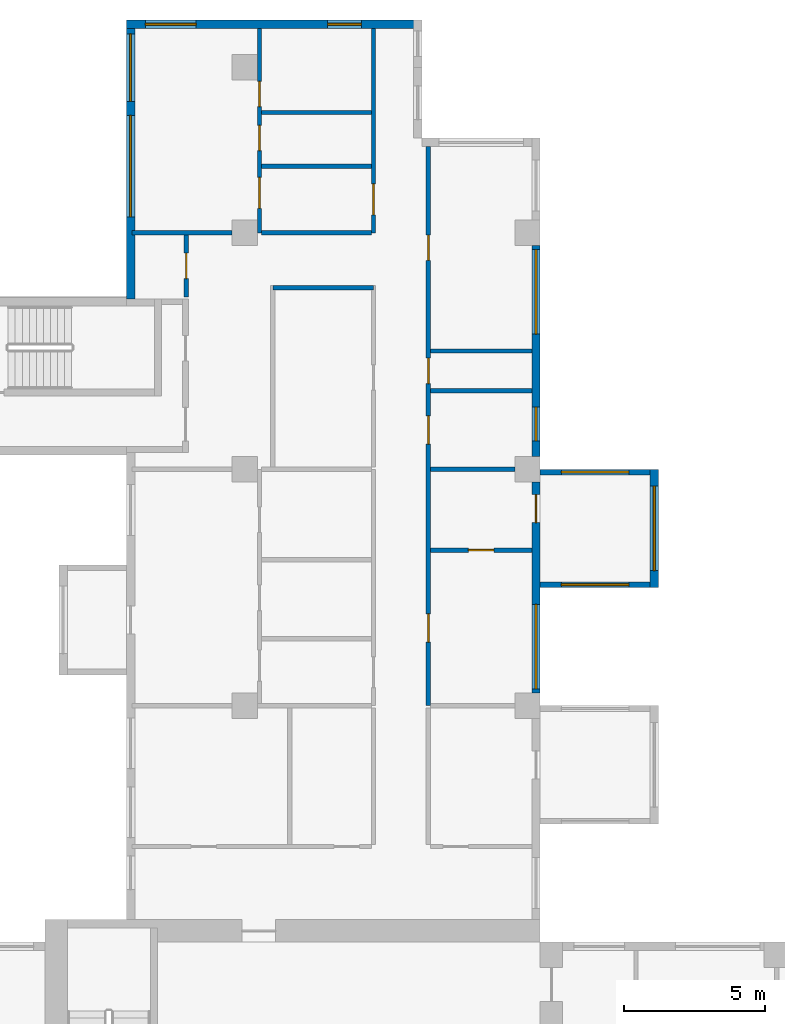
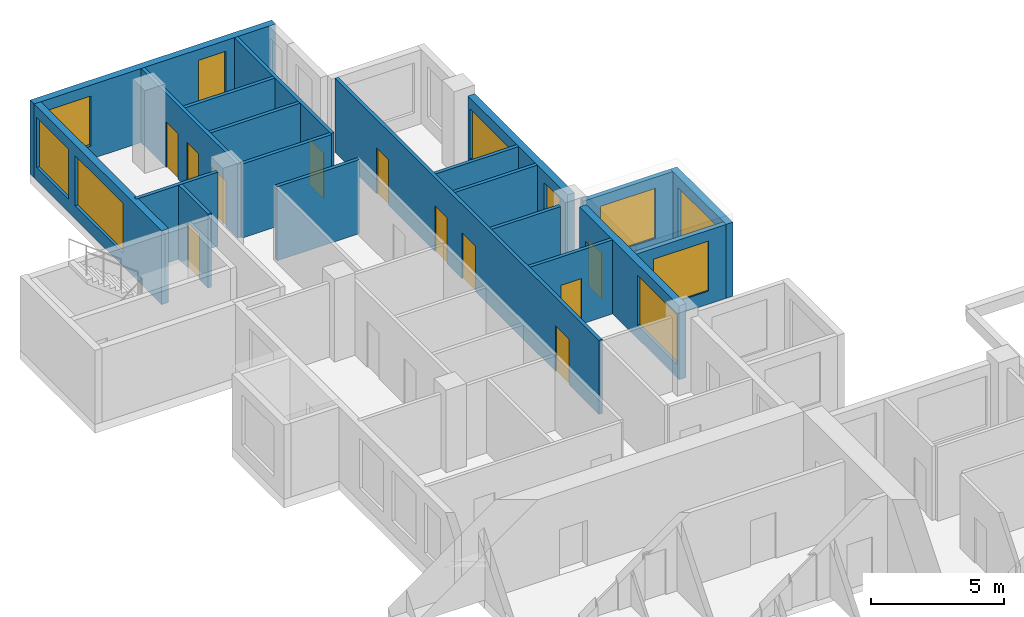
# One storey, part 7 of 11: 20 walls, 11 doors, 10 windows, 21 openings.
"""IFC4 building model written with IfcOpenShell, lengths in metres."""

from ifc_helpers import new_model, si_unit, direction, frame, frame_2d, origin, place, context, subcontext, project, spatial, rectangle, extrude, source, transform, mapped, material, layer, layer_set, type_object, element, fill, save


model = new_model("IFC4")

# Units and contexts
model_context = context("Model", 3, precision=1e-05, world=origin(), true_north=direction((0.0, 1.0)))
body_context = subcontext(model_context, "Body", "Model", "MODEL_VIEW")
ifc_project = project(units=[si_unit("LENGTHUNIT", "METRE"), si_unit("AREAUNIT", "SQUARE_METRE"), si_unit("VOLUMEUNIT", "CUBIC_METRE"), si_unit("PLANEANGLEUNIT", "RADIAN"), si_unit("MASSUNIT", "GRAM", prefix="KILO")], contexts=[model_context])

# Site, building, storey
site_placement = place(None, origin())
site = spatial("IfcSite", under=ifc_project, at=site_placement, CompositionType="ELEMENT")
building_placement = place(site_placement, origin())
building = spatial("IfcBuilding", under=site, at=building_placement, Name="Aurelian Terraces", CompositionType="ELEMENT")
storey_placement = place(building_placement, frame((0.0, 0.0, 212.0)))
storey = spatial("IfcBuildingStorey", under=building, at=storey_placement, Name="L47", CompositionType="ELEMENT", Elevation=212.0)

# Wall, openings, window, door
ifc_material_1 = material(Name="Terracotta rainscreen cladding", Category="masonry")
ifc_layer_1 = layer(ifc_material_1, 0.3)
ifc_layer_set_1 = layer_set([ifc_layer_1], Name="EW-300")
wall_type_1 = type_object("IfcWallType", Name="EW-300", PredefinedType="STANDARD", material=ifc_layer_set_1)
shared_shape_1 = source(origin(), body_context, "Body", "SweptSolid", [
    extrude(rectangle(XDim=7.5, YDim=0.3, at=frame_2d((3.75, 0.0))), origin(), (0.0, 0.0, 1.0), 3.4),
])
wall_1_placement = place(storey_placement, frame((20.85, 29.85, 0.0), z_axis=(0.0, 0.0, 1.0), x_axis=(0.0, 1.0, 0.0)))
wall_1 = element("IfcWall", 1, at=wall_1_placement, inside=storey, type_object=wall_type_1, Name="External wall L47 F12.22", PredefinedType="STANDARD", context=body_context, shape_type="MappedRepresentation", body=[
    mapped(shared_shape_1, transform((0.0, 0.0, 0.0), scale=1.0)),
])
shared_shape_2 = source(origin(), body_context, "Body", "SweptSolid", [
    extrude(rectangle(XDim=3.0, YDim=2.3, at=frame_2d((1.5, 1.15))), frame((0.0, 0.16, 0.0), z_axis=(0.0, -1.0, 0.0), x_axis=(1.0, 0.0, 0.0)), (0.0, 0.0, 1.0), 0.32),
])
opening_1_placement = place(wall_1_placement, frame((0.15, 0.0, 0.6)))
opening_1 = element("IfcOpeningElement", 2, at=opening_1_placement, cuts=wall_1, Name="Opening W3023", PredefinedType="OPENING", context=body_context, shape_type="MappedRepresentation", body=[
    mapped(shared_shape_2, transform((0.0, 0.0, 0.0), scale=1.0)),
])
shared_shape_3 = source(origin(), body_context, "Body", "SweptSolid", [
    extrude(rectangle(XDim=1.0, YDim=2.1, at=frame_2d((0.5, 1.05))), frame((0.0, 0.16, 0.0), z_axis=(0.0, -1.0, 0.0), x_axis=(1.0, 0.0, 0.0)), (0.0, 0.0, 1.0), 0.32),
])
opening_2_placement = place(wall_1_placement, frame((6.05, 0.0, 0.0)))
opening_2 = element("IfcOpeningElement", 3, at=opening_2_placement, cuts=wall_1, Name="Opening 847002", PredefinedType="OPENING", context=body_context, shape_type="MappedRepresentation", body=[
    mapped(shared_shape_3, transform((0.0, 0.0, 0.0), scale=1.0)),
])
ifc_material_2 = material(Name="Clear glazing", Category="glass")
window_type_1 = type_object("IfcWindowType", Name="W-3000x2300", PartitioningType="SINGLE_PANEL", PredefinedType="WINDOW", material=ifc_material_2)
shared_shape_4 = source(origin(), body_context, "Body", "SweptSolid", [
    extrude(rectangle(XDim=3.0, YDim=2.3, at=frame_2d((1.5, 1.15))), frame((0.0, 0.03, 0.0), z_axis=(0.0, -1.0, 0.0), x_axis=(1.0, 0.0, 0.0)), (0.0, 0.0, 1.0), 0.06),
])
window_1_placement = place(opening_1_placement, origin())
window_1 = element("IfcWindow", 4, at=window_1_placement, inside=storey, type_object=window_type_1, Name="Window L47 L47-F12-22-0", OverallHeight=2.3, OverallWidth=3.0, PartitioningType="SINGLE_PANEL", PredefinedType="WINDOW", context=body_context, shape_type="MappedRepresentation", body=[
    mapped(shared_shape_4, transform((0.0, 0.0, 0.0), scale=1.0)),
])
fill(opening_1, window_1)
ifc_material_3 = material(Name="Timber door leaf", Category="wood")
door_type_1 = type_object("IfcDoorType", Name="Room door 1000x2100 left", OperationType="SINGLE_SWING_LEFT", PredefinedType="DOOR", material=ifc_material_3)
shared_shape_5 = source(origin(), body_context, "Body", "SweptSolid", [
    extrude(rectangle(XDim=1.0, YDim=2.1, at=frame_2d((0.5, 1.05))), frame((0.0, 0.025, 0.0), z_axis=(0.0, -1.0, 0.0), x_axis=(1.0, 0.0, 0.0)), (0.0, 0.0, 1.0), 0.05),
])
door_1_placement = place(opening_2_placement, origin())
door_1 = element("IfcDoor", 5, at=door_1_placement, inside=storey, type_object=door_type_1, Name="Door 847002", OperationType="SINGLE_SWING_LEFT", OverallHeight=2.1, OverallWidth=1.0, PredefinedType="DOOR", context=body_context, shape_type="MappedRepresentation", body=[
    mapped(shared_shape_5, transform((0.0, 0.0, 0.0), scale=1.0)),
])
fill(opening_2, door_1)

# Wall, openings, windows
wall_2_placement = place(storey_placement, frame((20.85, 38.25, 0.0), z_axis=(0.0, 0.0, 1.0), x_axis=(0.0, 1.0, 0.0)))
wall_2 = element("IfcWall", 6, at=wall_2_placement, inside=storey, type_object=wall_type_1, Name="External wall L47 F12.23", PredefinedType="STANDARD", context=body_context, shape_type="MappedRepresentation", body=[
    mapped(shared_shape_1, transform((0.0, 0.0, 0.0), scale=1.0)),
])
shared_shape_6 = source(origin(), body_context, "Body", "SweptSolid", [
    extrude(rectangle(XDim=1.2, YDim=2.3, at=frame_2d((0.6, 1.15))), frame((0.0, 0.16, 0.0), z_axis=(0.0, -1.0, 0.0), x_axis=(1.0, 0.0, 0.0)), (0.0, 0.0, 1.0), 0.32),
])
opening_3_placement = place(wall_2_placement, frame((0.557, 0.0, 0.6)))
opening_3 = element("IfcOpeningElement", 7, at=opening_3_placement, cuts=wall_2, Name="Opening W1223", PredefinedType="OPENING", context=body_context, shape_type="MappedRepresentation", body=[
    mapped(shared_shape_6, transform((0.0, 0.0, 0.0), scale=1.0)),
])
opening_4_placement = place(wall_2_placement, frame((4.35, 0.0, 0.6)))
opening_4 = element("IfcOpeningElement", 8, at=opening_4_placement, cuts=wall_2, Name="Opening W3023", PredefinedType="OPENING", context=body_context, shape_type="MappedRepresentation", body=[
    mapped(shared_shape_2, transform((0.0, 0.0, 0.0), scale=1.0)),
])
window_2_placement = place(opening_4_placement, origin())
window_2 = element("IfcWindow", 9, at=window_2_placement, inside=storey, type_object=window_type_1, Name="Window L47 L47-F12-23-1", OverallHeight=2.3, OverallWidth=3.0, PartitioningType="SINGLE_PANEL", PredefinedType="WINDOW", context=body_context, shape_type="MappedRepresentation", body=[
    mapped(shared_shape_4, transform((0.0, 0.0, 0.0), scale=1.0)),
])
fill(opening_4, window_2)
window_type_2 = type_object("IfcWindowType", Name="W-1200x2300", PartitioningType="SINGLE_PANEL", PredefinedType="WINDOW", material=ifc_material_2)
shared_shape_7 = source(origin(), body_context, "Body", "SweptSolid", [
    extrude(rectangle(XDim=1.2, YDim=2.3, at=frame_2d((0.6, 1.15))), frame((0.0, 0.03, 0.0), z_axis=(0.0, -1.0, 0.0), x_axis=(1.0, 0.0, 0.0)), (0.0, 0.0, 1.0), 0.06),
])
window_3_placement = place(opening_3_placement, origin())
window_3 = element("IfcWindow", 10, at=window_3_placement, inside=storey, type_object=window_type_2, Name="Window L47 L47-F12-23-0", OverallHeight=2.3, OverallWidth=1.2, PartitioningType="SINGLE_PANEL", PredefinedType="WINDOW", context=body_context, shape_type="MappedRepresentation", body=[
    mapped(shared_shape_7, transform((0.0, 0.0, 0.0), scale=1.0)),
])
fill(opening_3, window_3)

# Wall, opening, window
ifc_material_4 = material(Name="Concrete fc' 40 MPa", Category="concrete")
ifc_layer_2 = layer(ifc_material_4, 0.2)
ifc_layer_set_2 = layer_set([ifc_layer_2], Name="BOX BEARING WALL 200")
wall_type_2 = type_object("IfcWallType", Name="BOX BEARING WALL 200", PredefinedType="SOLIDWALL", material=ifc_layer_set_2)
shared_shape_8 = source(origin(), body_context, "Body", "SweptSolid", [
    extrude(rectangle(XDim=3.9, YDim=0.2, at=frame_2d((1.95, 0.0))), origin(), (0.0, 0.0, 1.0), 3.4),
])
wall_3_placement = place(storey_placement, frame((21.0, 33.7, 0.0), z_axis=(0.0, 0.0, 1.0), x_axis=(1.0, 0.0, 0.0)))
wall_3 = element("IfcWall", 11, at=wall_3_placement, inside=storey, type_object=wall_type_2, Name="Box return L47 J65.1", PredefinedType="SOLIDWALL", context=body_context, shape_type="MappedRepresentation", body=[
    mapped(shared_shape_8, transform((0.0, 0.0, 0.0), scale=1.0)),
])
shared_shape_9 = source(origin(), body_context, "Body", "SweptSolid", [
    extrude(rectangle(XDim=2.4, YDim=2.3, at=frame_2d((1.2, 1.15))), frame((0.0, 0.11, 0.0), z_axis=(0.0, -1.0, 0.0), x_axis=(1.0, 0.0, 0.0)), (0.0, 0.0, 1.0), 0.22),
])
opening_5_placement = place(wall_3_placement, frame((0.75, 0.0, 0.6)))
opening_5 = element("IfcOpeningElement", 12, at=opening_5_placement, cuts=wall_3, Name="Opening W2423", PredefinedType="OPENING", context=body_context, shape_type="MappedRepresentation", body=[
    mapped(shared_shape_9, transform((0.0, 0.0, 0.0), scale=1.0)),
])
window_type_3 = type_object("IfcWindowType", Name="W-2400x2300", PartitioningType="SINGLE_PANEL", PredefinedType="WINDOW", material=ifc_material_2)
shared_shape_10 = source(origin(), body_context, "Body", "SweptSolid", [
    extrude(rectangle(XDim=2.4, YDim=2.3, at=frame_2d((1.2, 1.15))), frame((0.0, 0.03, 0.0), z_axis=(0.0, -1.0, 0.0), x_axis=(1.0, 0.0, 0.0)), (0.0, 0.0, 1.0), 0.06),
])
window_4_placement = place(opening_5_placement, origin())
window_4 = element("IfcWindow", 13, at=window_4_placement, inside=storey, type_object=window_type_3, Name="Window L47 J65-S1", OverallHeight=2.3, OverallWidth=2.4, PartitioningType="SINGLE_PANEL", PredefinedType="WINDOW", context=body_context, shape_type="MappedRepresentation", body=[
    mapped(shared_shape_10, transform((0.0, 0.0, 0.0), scale=1.0)),
])
fill(opening_5, window_4)

wall_4_placement = place(storey_placement, frame((21.0, 37.7, 0.0), z_axis=(0.0, 0.0, 1.0), x_axis=(1.0, 0.0, 0.0)))
wall_4 = element("IfcWall", 14, at=wall_4_placement, inside=storey, type_object=wall_type_2, Name="Box return L47 J65.2", PredefinedType="SOLIDWALL", context=body_context, shape_type="MappedRepresentation", body=[
    mapped(shared_shape_8, transform((0.0, 0.0, 0.0), scale=1.0)),
])
opening_6_placement = place(wall_4_placement, frame((0.75, 0.0, 0.6)))
opening_6 = element("IfcOpeningElement", 15, at=opening_6_placement, cuts=wall_4, Name="Opening W2423", PredefinedType="OPENING", context=body_context, shape_type="MappedRepresentation", body=[
    mapped(shared_shape_9, transform((0.0, 0.0, 0.0), scale=1.0)),
])
window_5_placement = place(opening_6_placement, origin())
window_5 = element("IfcWindow", 16, at=window_5_placement, inside=storey, type_object=window_type_3, Name="Window L47 J65-S2", OverallHeight=2.3, OverallWidth=2.4, PartitioningType="SINGLE_PANEL", PredefinedType="WINDOW", context=body_context, shape_type="MappedRepresentation", body=[
    mapped(shared_shape_10, transform((0.0, 0.0, 0.0), scale=1.0)),
])
fill(opening_6, window_5)

ifc_layer_3 = layer(ifc_material_4, 0.3)
ifc_layer_set_3 = layer_set([ifc_layer_3], Name="BOX BEARING WALL 300")
wall_type_3 = type_object("IfcWallType", Name="BOX BEARING WALL 300", PredefinedType="SOLIDWALL", material=ifc_layer_set_3)
shared_shape_11 = source(origin(), body_context, "Body", "SweptSolid", [
    extrude(rectangle(XDim=4.2, YDim=0.3, at=frame_2d((2.1, 0.0))), origin(), (0.0, 0.0, 1.0), 3.4),
])
wall_5_placement = place(storey_placement, frame((25.05, 33.6, 0.0), z_axis=(0.0, 0.0, 1.0), x_axis=(0.0, 1.0, 0.0)))
wall_5 = element("IfcWall", 17, at=wall_5_placement, inside=storey, type_object=wall_type_3, Name="Box wall L47 J65", PredefinedType="SOLIDWALL", context=body_context, shape_type="MappedRepresentation", body=[
    mapped(shared_shape_11, transform((0.0, 0.0, 0.0), scale=1.0)),
])
opening_7_placement = place(wall_5_placement, frame((0.6, 0.0, 0.6)))
opening_7 = element("IfcOpeningElement", 18, at=opening_7_placement, cuts=wall_5, Name="Opening W3023", PredefinedType="OPENING", context=body_context, shape_type="MappedRepresentation", body=[
    mapped(shared_shape_2, transform((0.0, 0.0, 0.0), scale=1.0)),
])
window_6_placement = place(opening_7_placement, origin())
window_6 = element("IfcWindow", 19, at=window_6_placement, inside=storey, type_object=window_type_1, Name="Window L47 J65-F1", OverallHeight=2.3, OverallWidth=3.0, PartitioningType="SINGLE_PANEL", PredefinedType="WINDOW", context=body_context, shape_type="MappedRepresentation", body=[
    mapped(shared_shape_4, transform((0.0, 0.0, 0.0), scale=1.0)),
])
fill(opening_7, window_6)

# Wall, openings, windows
shared_shape_12 = source(origin(), body_context, "Body", "SweptSolid", [
    extrude(rectangle(XDim=10.5, YDim=0.3, at=frame_2d((5.25, 0.0))), origin(), (0.0, 0.0, 1.0), 3.4),
])
wall_6_placement = place(storey_placement, frame((16.8, 53.61, 0.0), z_axis=(0.0, 0.0, 1.0), x_axis=(-1.0, 0.0, 0.0)))
wall_6 = element("IfcWall", 20, at=wall_6_placement, inside=storey, type_object=wall_type_1, Name="External wall L47 F15.28", PredefinedType="STANDARD", context=body_context, shape_type="MappedRepresentation", body=[
    mapped(shared_shape_12, transform((0.0, 0.0, 0.0), scale=1.0)),
])
opening_8_placement = place(wall_6_placement, frame((2.15, 0.0, 0.6)))
opening_8 = element("IfcOpeningElement", 21, at=opening_8_placement, cuts=wall_6, Name="Opening W1223", PredefinedType="OPENING", context=body_context, shape_type="MappedRepresentation", body=[
    mapped(shared_shape_6, transform((0.0, 0.0, 0.0), scale=1.0)),
])
shared_shape_13 = source(origin(), body_context, "Body", "SweptSolid", [
    extrude(rectangle(XDim=1.8, YDim=2.3, at=frame_2d((0.9, 1.15))), frame((0.0, 0.16, 0.0), z_axis=(0.0, -1.0, 0.0), x_axis=(1.0, 0.0, 0.0)), (0.0, 0.0, 1.0), 0.32),
])
opening_9_placement = place(wall_6_placement, frame((8.025, 0.0, 0.6)))
opening_9 = element("IfcOpeningElement", 22, at=opening_9_placement, cuts=wall_6, Name="Opening W1823", PredefinedType="OPENING", context=body_context, shape_type="MappedRepresentation", body=[
    mapped(shared_shape_13, transform((0.0, 0.0, 0.0), scale=1.0)),
])
window_7_placement = place(opening_8_placement, origin())
window_7 = element("IfcWindow", 23, at=window_7_placement, inside=storey, type_object=window_type_2, Name="Window L47 L47-F15-28-0", OverallHeight=2.3, OverallWidth=1.2, PartitioningType="SINGLE_PANEL", PredefinedType="WINDOW", context=body_context, shape_type="MappedRepresentation", body=[
    mapped(shared_shape_7, transform((0.0, 0.0, 0.0), scale=1.0)),
])
fill(opening_8, window_7)
window_type_4 = type_object("IfcWindowType", Name="W-1800x2300", PartitioningType="SINGLE_PANEL", PredefinedType="WINDOW", material=ifc_material_2)
shared_shape_14 = source(origin(), body_context, "Body", "SweptSolid", [
    extrude(rectangle(XDim=1.8, YDim=2.3, at=frame_2d((0.9, 1.15))), frame((0.0, 0.03, 0.0), z_axis=(0.0, -1.0, 0.0), x_axis=(1.0, 0.0, 0.0)), (0.0, 0.0, 1.0), 0.06),
])
window_8_placement = place(opening_9_placement, origin())
window_8 = element("IfcWindow", 24, at=window_8_placement, inside=storey, type_object=window_type_4, Name="Window L47 L47-F15-28-2", OverallHeight=2.3, OverallWidth=1.8, PartitioningType="SINGLE_PANEL", PredefinedType="WINDOW", context=body_context, shape_type="MappedRepresentation", body=[
    mapped(shared_shape_14, transform((0.0, 0.0, 0.0), scale=1.0)),
])
fill(opening_9, window_8)

shared_shape_15 = source(origin(), body_context, "Body", "SweptSolid", [
    extrude(rectangle(XDim=9.91, YDim=0.3, at=frame_2d((4.955, 0.0))), origin(), (0.0, 0.0, 1.0), 3.4),
])
wall_7_placement = place(storey_placement, frame((6.45, 53.76, 0.0), z_axis=(0.0, 0.0, 1.0), x_axis=(0.0, -1.0, 0.0)))
wall_7 = element("IfcWall", 25, at=wall_7_placement, inside=storey, type_object=wall_type_1, Name="External wall L47 F16.29", PredefinedType="STANDARD", context=body_context, shape_type="MappedRepresentation", body=[
    mapped(shared_shape_15, transform((0.0, 0.0, 0.0), scale=1.0)),
])
shared_shape_16 = source(origin(), body_context, "Body", "SweptSolid", [
    extrude(rectangle(XDim=3.6, YDim=2.3, at=frame_2d((1.8, 1.15))), frame((0.0, 0.16, 0.0), z_axis=(0.0, -1.0, 0.0), x_axis=(1.0, 0.0, 0.0)), (0.0, 0.0, 1.0), 0.32),
])
opening_10_placement = place(wall_7_placement, frame((3.39, 0.0, 0.6)))
opening_10 = element("IfcOpeningElement", 26, at=opening_10_placement, cuts=wall_7, Name="Opening W3623", PredefinedType="OPENING", context=body_context, shape_type="MappedRepresentation", body=[
    mapped(shared_shape_16, transform((0.0, 0.0, 0.0), scale=1.0)),
])
shared_shape_17 = source(origin(), body_context, "Body", "SweptSolid", [
    extrude(rectangle(XDim=2.4, YDim=2.3, at=frame_2d((1.2, 1.15))), frame((0.0, 0.16, 0.0), z_axis=(0.0, -1.0, 0.0), x_axis=(1.0, 0.0, 0.0)), (0.0, 0.0, 1.0), 0.32),
])
opening_11_placement = place(wall_7_placement, frame((0.495, 0.0, 0.6)))
opening_11 = element("IfcOpeningElement", 27, at=opening_11_placement, cuts=wall_7, Name="Opening W2423", PredefinedType="OPENING", context=body_context, shape_type="MappedRepresentation", body=[
    mapped(shared_shape_17, transform((0.0, 0.0, 0.0), scale=1.0)),
])
window_type_5 = type_object("IfcWindowType", Name="W-3600x2300", PartitioningType="SINGLE_PANEL", PredefinedType="WINDOW", material=ifc_material_2)
shared_shape_18 = source(origin(), body_context, "Body", "SweptSolid", [
    extrude(rectangle(XDim=3.6, YDim=2.3, at=frame_2d((1.8, 1.15))), frame((0.0, 0.03, 0.0), z_axis=(0.0, -1.0, 0.0), x_axis=(1.0, 0.0, 0.0)), (0.0, 0.0, 1.0), 0.06),
])
window_9_placement = place(opening_10_placement, origin())
window_9 = element("IfcWindow", 28, at=window_9_placement, inside=storey, type_object=window_type_5, Name="Window L47 L47-F16-29-1", OverallHeight=2.3, OverallWidth=3.6, PartitioningType="SINGLE_PANEL", PredefinedType="WINDOW", context=body_context, shape_type="MappedRepresentation", body=[
    mapped(shared_shape_18, transform((0.0, 0.0, 0.0), scale=1.0)),
])
fill(opening_10, window_9)
window_10_placement = place(opening_11_placement, origin())
window_10 = element("IfcWindow", 29, at=window_10_placement, inside=storey, type_object=window_type_3, Name="Window L47 L47-F16-29-G0-0", OverallHeight=2.3, OverallWidth=2.4, PartitioningType="SINGLE_PANEL", PredefinedType="WINDOW", context=body_context, shape_type="MappedRepresentation", body=[
    mapped(shared_shape_10, transform((0.0, 0.0, 0.0), scale=1.0)),
])
fill(opening_11, window_10)

# Walls
ifc_material_5 = material(Name="Gypsum board on steel studs", Category="steel")
ifc_layer_4 = layer(ifc_material_5, 0.15)
ifc_layer_set_4 = layer_set([ifc_layer_4], Name="Partition 150")
wall_type_4 = type_object("IfcWallType", Name="Partition 150", PredefinedType="PARTITIONING", material=ifc_layer_set_4)
shared_shape_19 = source(origin(), body_context, "Body", "SweptSolid", [
    extrude(rectangle(XDim=3.9, YDim=0.15, at=frame_2d((1.95, 0.0))), origin(), (0.0, 0.0, 1.0), 3.4),
])
for number, where, z_axis, x_axis, name in (
    (30, (15.0, 48.5681, 0.0), (0.0, 0.0, 1.0), (-1.0, 0.0, 0.0), "Partition"),
    (31, (15.0, 50.4718, 0.0), (0.0, 0.0, 1.0), (-1.0, 0.0, 0.0), "Partition"),
):
    element("IfcWall", number, at=place(storey_placement, frame(where, z_axis=z_axis, x_axis=x_axis)), inside=storey, type_object=wall_type_4, Name=name, PredefinedType="PARTITIONING", context=body_context, shape_type="MappedRepresentation", body=[
        mapped(shared_shape_19, transform((0.0, 0.0, 0.0), scale=1.0)),
    ])
ifc_layer_5 = layer(ifc_material_5, 0.15)
ifc_layer_set_5 = layer_set([ifc_layer_5], Name="Fire partition 150")
wall_type_5 = type_object("IfcWallType", Name="Fire partition 150", PredefinedType="PARTITIONING", material=ifc_layer_set_5)
wall_8_placement = place(storey_placement, frame((15.0, 46.2, 0.0), z_axis=(0.0, 0.0, 1.0), x_axis=(-1.0, 0.0, 0.0)))
element("IfcWall", 32, at=wall_8_placement, inside=storey, type_object=wall_type_5, Name="Party wall", PredefinedType="PARTITIONING", context=body_context, shape_type="MappedRepresentation", body=[
    mapped(shared_shape_19, transform((0.0, 0.0, 0.0), scale=1.0)),
])

# Wall, opening, door
shared_shape_20 = source(origin(), body_context, "Body", "SweptSolid", [
    extrude(rectangle(XDim=3.6, YDim=0.15, at=frame_2d((1.8, 0.0))), origin(), (0.0, 0.0, 1.0), 3.4),
])
wall_9_placement = place(storey_placement, frame((17.1, 34.925, 0.0), z_axis=(0.0, 0.0, 1.0), x_axis=(1.0, 0.0, 0.0)))
wall_9 = element("IfcWall", 33, at=wall_9_placement, inside=storey, type_object=wall_type_4, Name="Partition", PredefinedType="PARTITIONING", context=body_context, shape_type="MappedRepresentation", body=[
    mapped(shared_shape_20, transform((0.0, 0.0, 0.0), scale=1.0)),
])
shared_shape_21 = source(origin(), body_context, "Body", "SweptSolid", [
    extrude(rectangle(XDim=0.9, YDim=2.1, at=frame_2d((0.45, 1.05))), frame((0.0, 0.085, 0.0), z_axis=(0.0, -1.0, 0.0), x_axis=(1.0, 0.0, 0.0)), (0.0, 0.0, 1.0), 0.17),
])
opening_12_placement = place(wall_9_placement, frame((1.35, 0.0, 0.0)))
opening_12 = element("IfcOpeningElement", 34, at=opening_12_placement, cuts=wall_9, Name="Opening 747030", PredefinedType="OPENING", context=body_context, shape_type="MappedRepresentation", body=[
    mapped(shared_shape_21, transform((0.0, 0.0, 0.0), scale=1.0)),
])
door_type_2 = type_object("IfcDoorType", Name="Room door 900x2100 left", OperationType="SINGLE_SWING_LEFT", PredefinedType="DOOR", material=ifc_material_3)
shared_shape_22 = source(origin(), body_context, "Body", "SweptSolid", [
    extrude(rectangle(XDim=0.9, YDim=2.1, at=frame_2d((0.45, 1.05))), frame((0.0, 0.025, 0.0), z_axis=(0.0, -1.0, 0.0), x_axis=(1.0, 0.0, 0.0)), (0.0, 0.0, 1.0), 0.05),
])
door_2_placement = place(opening_12_placement, origin())
door_2 = element("IfcDoor", 35, at=door_2_placement, inside=storey, type_object=door_type_2, Name="Door 747030", OperationType="SINGLE_SWING_LEFT", OverallHeight=2.1, OverallWidth=0.9, PredefinedType="DOOR", context=body_context, shape_type="MappedRepresentation", body=[
    mapped(shared_shape_22, transform((0.0, 0.0, 0.0), scale=1.0)),
])
fill(opening_12, door_2)

# Walls
wall_10_placement = place(storey_placement, frame((17.1, 40.5885, 0.0), z_axis=(0.0, 0.0, 1.0), x_axis=(1.0, 0.0, 0.0)))
element("IfcWall", 36, at=wall_10_placement, inside=storey, type_object=wall_type_4, Name="Partition", PredefinedType="PARTITIONING", context=body_context, shape_type="MappedRepresentation", body=[
    mapped(shared_shape_20, transform((0.0, 0.0, 0.0), scale=1.0)),
])
wall_11_placement = place(storey_placement, frame((20.7, 42.0, 0.0), z_axis=(0.0, 0.0, 1.0), x_axis=(-1.0, 0.0, 0.0)))
element("IfcWall", 37, at=wall_11_placement, inside=storey, type_object=wall_type_5, Name="Party wall", PredefinedType="PARTITIONING", context=body_context, shape_type="MappedRepresentation", body=[
    mapped(shared_shape_20, transform((0.0, 0.0, 0.0), scale=1.0)),
])
shared_shape_23 = source(origin(), body_context, "Body", "SweptSolid", [
    extrude(rectangle(XDim=3.001, YDim=0.15, at=frame_2d((1.5005, 0.0))), origin(), (0.0, 0.0, 1.0), 3.4),
])
wall_12_placement = place(storey_placement, frame((20.101, 37.8, 0.0), z_axis=(0.0, 0.0, 1.0), x_axis=(-1.0, 0.0, 0.0)))
element("IfcWall", 38, at=wall_12_placement, inside=storey, type_object=wall_type_5, Name="Party wall", PredefinedType="PARTITIONING", context=body_context, shape_type="MappedRepresentation", body=[
    mapped(shared_shape_23, transform((0.0, 0.0, 0.0), scale=1.0)),
])

# Wall, opening, door
shared_shape_24 = source(origin(), body_context, "Body", "SweptSolid", [
    extrude(rectangle(XDim=2.2, YDim=0.15, at=frame_2d((1.1, 0.0))), origin(), (0.0, 0.0, 1.0), 3.4),
])
wall_13_placement = place(storey_placement, frame((8.425, 43.925, 0.0), z_axis=(0.0, 0.0, 1.0), x_axis=(0.0, 1.0, 0.0)))
wall_13 = element("IfcWall", 39, at=wall_13_placement, inside=storey, type_object=wall_type_4, Name="Partition", PredefinedType="PARTITIONING", context=body_context, shape_type="MappedRepresentation", body=[
    mapped(shared_shape_24, transform((0.0, 0.0, 0.0), scale=1.0)),
])
opening_13_placement = place(wall_13_placement, frame((0.65, 0.0, 0.0)))
opening_13 = element("IfcOpeningElement", 40, at=opening_13_placement, cuts=wall_13, Name="Opening 747020", PredefinedType="OPENING", context=body_context, shape_type="MappedRepresentation", body=[
    mapped(shared_shape_21, transform((0.0, 0.0, 0.0), scale=1.0)),
])
door_3_placement = place(opening_13_placement, origin())
door_3 = element("IfcDoor", 41, at=door_3_placement, inside=storey, type_object=door_type_2, Name="Door 747020", OperationType="SINGLE_SWING_LEFT", OverallHeight=2.1, OverallWidth=0.9, PredefinedType="DOOR", context=body_context, shape_type="MappedRepresentation", body=[
    mapped(shared_shape_22, transform((0.0, 0.0, 0.0), scale=1.0)),
])
fill(opening_13, door_3)

# Wall
shared_shape_25 = source(origin(), body_context, "Body", "SweptSolid", [
    extrude(rectangle(XDim=3.546, YDim=0.15, at=frame_2d((1.773, 0.0))), origin(), (0.0, 0.0, 1.0), 3.4),
])
wall_14_placement = place(storey_placement, frame((10.051, 46.2, 0.0), z_axis=(0.0, 0.0, 1.0), x_axis=(-1.0, 0.0, 0.0)))
element("IfcWall", 42, at=wall_14_placement, inside=storey, type_object=wall_type_5, Name="Party wall", PredefinedType="PARTITIONING", context=body_context, shape_type="MappedRepresentation", body=[
    mapped(shared_shape_25, transform((0.0, 0.0, 0.0), scale=1.0)),
])

# Wall, openings, doors
shared_shape_26 = source(origin(), body_context, "Body", "SweptSolid", [
    extrude(rectangle(XDim=7.26, YDim=0.15, at=frame_2d((3.63, 0.0))), origin(), (0.0, 0.0, 1.0), 3.4),
])
wall_15_placement = place(storey_placement, frame((11.025, 46.2, 0.0), z_axis=(0.0, 0.0, 1.0), x_axis=(0.0, 1.0, 0.0)))
wall_15 = element("IfcWall", 43, at=wall_15_placement, inside=storey, type_object=wall_type_4, Name="Partition", PredefinedType="PARTITIONING", context=body_context, shape_type="MappedRepresentation", body=[
    mapped(shared_shape_26, transform((0.0, 0.0, 0.0), scale=1.0)),
])
shared_shape_27 = source(origin(), body_context, "Body", "SweptSolid", [
    extrude(rectangle(XDim=1.1, YDim=2.1, at=frame_2d((0.55, 1.05))), frame((0.0, 0.085, 0.0), z_axis=(0.0, -1.0, 0.0), x_axis=(1.0, 0.0, 0.0)), (0.0, 0.0, 1.0), 0.17),
])
opening_14_placement = place(wall_15_placement, frame((0.8715, 0.0, 0.0)))
opening_14 = element("IfcOpeningElement", 44, at=opening_14_placement, cuts=wall_15, Name="Opening 747026", PredefinedType="OPENING", context=body_context, shape_type="MappedRepresentation", body=[
    mapped(shared_shape_27, transform((0.0, 0.0, 0.0), scale=1.0)),
])
opening_15_placement = place(wall_15_placement, frame((2.9199, 0.0, 0.0)))
opening_15 = element("IfcOpeningElement", 45, at=opening_15_placement, cuts=wall_15, Name="Opening 747027", PredefinedType="OPENING", context=body_context, shape_type="MappedRepresentation", body=[
    mapped(shared_shape_21, transform((0.0, 0.0, 0.0), scale=1.0)),
])
opening_16_placement = place(wall_15_placement, frame((4.4784, 0.0, 0.0)))
opening_16 = element("IfcOpeningElement", 46, at=opening_16_placement, cuts=wall_15, Name="Opening 747028", PredefinedType="OPENING", context=body_context, shape_type="MappedRepresentation", body=[
    mapped(shared_shape_21, transform((0.0, 0.0, 0.0), scale=1.0)),
])
door_type_3 = type_object("IfcDoorType", Name="Room door 900x2100 right", OperationType="SINGLE_SWING_RIGHT", PredefinedType="DOOR", material=ifc_material_3)
door_4_placement = place(opening_15_placement, origin())
door_4 = element("IfcDoor", 47, at=door_4_placement, inside=storey, type_object=door_type_3, Name="Door 747027", OperationType="SINGLE_SWING_RIGHT", OverallHeight=2.1, OverallWidth=0.9, PredefinedType="DOOR", context=body_context, shape_type="MappedRepresentation", body=[
    mapped(shared_shape_22, transform((0.0, 0.0, 0.0), scale=1.0)),
])
fill(opening_15, door_4)
door_5_placement = place(opening_16_placement, origin())
door_5 = element("IfcDoor", 48, at=door_5_placement, inside=storey, type_object=door_type_2, Name="Door 747028", OperationType="SINGLE_SWING_LEFT", OverallHeight=2.1, OverallWidth=0.9, PredefinedType="DOOR", context=body_context, shape_type="MappedRepresentation", body=[
    mapped(shared_shape_22, transform((0.0, 0.0, 0.0), scale=1.0)),
])
fill(opening_16, door_5)
door_type_4 = type_object("IfcDoorType", Name="Room door 1100x2100 left", OperationType="SINGLE_SWING_LEFT", PredefinedType="DOOR", material=ifc_material_3)
shared_shape_28 = source(origin(), body_context, "Body", "SweptSolid", [
    extrude(rectangle(XDim=1.1, YDim=2.1, at=frame_2d((0.55, 1.05))), frame((0.0, 0.025, 0.0), z_axis=(0.0, -1.0, 0.0), x_axis=(1.0, 0.0, 0.0)), (0.0, 0.0, 1.0), 0.05),
])
door_6_placement = place(opening_14_placement, origin())
door_6 = element("IfcDoor", 49, at=door_6_placement, inside=storey, type_object=door_type_4, Name="Door 747026", OperationType="SINGLE_SWING_LEFT", OverallHeight=2.1, OverallWidth=1.1, PredefinedType="DOOR", context=body_context, shape_type="MappedRepresentation", body=[
    mapped(shared_shape_28, transform((0.0, 0.0, 0.0), scale=1.0)),
])
fill(opening_14, door_6)

# Wall, opening, door
wall_16_placement = place(storey_placement, frame((15.075, 46.2, 0.0), z_axis=(0.0, 0.0, 1.0), x_axis=(0.0, 1.0, 0.0)))
wall_16 = element("IfcWall", 50, at=wall_16_placement, inside=storey, type_object=wall_type_5, Name="Corridor wall", PredefinedType="PARTITIONING", context=body_context, shape_type="MappedRepresentation", body=[
    mapped(shared_shape_26, transform((0.0, 0.0, 0.0), scale=1.0)),
])
opening_17_placement = place(wall_16_placement, frame((0.634, 0.0, 0.0)))
opening_17 = element("IfcOpeningElement", 51, at=opening_17_placement, cuts=wall_16, Name="Opening 747025", PredefinedType="OPENING", context=body_context, shape_type="MappedRepresentation", body=[
    mapped(shared_shape_27, transform((0.0, 0.0, 0.0), scale=1.0)),
])
ifc_material_6 = material(Name="Steel door leaf", Category="steel")
door_type_5 = type_object("IfcDoorType", Name="Entrance fire door 1100x2100 right", OperationType="SINGLE_SWING_RIGHT", PredefinedType="DOOR", material=ifc_material_6)
door_7_placement = place(opening_17_placement, origin())
door_7 = element("IfcDoor", 52, at=door_7_placement, inside=storey, type_object=door_type_5, Name="Door 747025", OperationType="SINGLE_SWING_RIGHT", OverallHeight=2.1, OverallWidth=1.1, PredefinedType="DOOR", context=body_context, shape_type="MappedRepresentation", body=[
    mapped(shared_shape_28, transform((0.0, 0.0, 0.0), scale=1.0)),
])
fill(opening_17, door_7)

# Wall
shared_shape_29 = source(origin(), body_context, "Body", "SweptSolid", [
    extrude(rectangle(XDim=3.575, YDim=0.15, at=frame_2d((1.7875, 0.0))), origin(), (0.0, 0.0, 1.0), 3.4),
])
wall_17_placement = place(storey_placement, frame((15.075, 44.25, 0.0), z_axis=(0.0, 0.0, 1.0), x_axis=(-1.0, 0.0, 0.0)))
element("IfcWall", 53, at=wall_17_placement, inside=storey, type_object=wall_type_4, Name="Partition", PredefinedType="PARTITIONING", context=body_context, shape_type="MappedRepresentation", body=[
    mapped(shared_shape_29, transform((0.0, 0.0, 0.0), scale=1.0)),
])

# Wall, openings, doors
shared_shape_30 = source(origin(), body_context, "Body", "SweptSolid", [
    extrude(rectangle(XDim=19.86, YDim=0.15, at=frame_2d((9.93, 0.0))), origin(), (0.0, 0.0, 1.0), 3.4),
])
wall_18_placement = place(storey_placement, frame((17.025, 49.26, 0.0), z_axis=(0.0, 0.0, 1.0), x_axis=(0.0, -1.0, 0.0)))
wall_18 = element("IfcWall", 54, at=wall_18_placement, inside=storey, type_object=wall_type_5, Name="Corridor wall", PredefinedType="PARTITIONING", context=body_context, shape_type="MappedRepresentation", body=[
    mapped(shared_shape_30, transform((0.0, 0.0, 0.0), scale=1.0)),
])
shared_shape_31 = source(origin(), body_context, "Body", "SweptSolid", [
    extrude(rectangle(XDim=1.0, YDim=2.1, at=frame_2d((0.5, 1.05))), frame((0.0, 0.085, 0.0), z_axis=(0.0, -1.0, 0.0), x_axis=(1.0, 0.0, 0.0)), (0.0, 0.0, 1.0), 0.17),
])
opening_18_placement = place(wall_18_placement, frame((16.5975, 0.0, 0.0)))
opening_18 = element("IfcOpeningElement", 55, at=opening_18_placement, cuts=wall_18, Name="Opening 747029", PredefinedType="OPENING", context=body_context, shape_type="MappedRepresentation", body=[
    mapped(shared_shape_31, transform((0.0, 0.0, 0.0), scale=1.0)),
])
opening_19_placement = place(wall_18_placement, frame((9.5658, 0.0, 0.0)))
opening_19 = element("IfcOpeningElement", 56, at=opening_19_placement, cuts=wall_18, Name="Opening 747031", PredefinedType="OPENING", context=body_context, shape_type="MappedRepresentation", body=[
    mapped(shared_shape_31, transform((0.0, 0.0, 0.0), scale=1.0)),
])
opening_20_placement = place(wall_18_placement, frame((7.5158, 0.0, 0.0)))
opening_20 = element("IfcOpeningElement", 57, at=opening_20_placement, cuts=wall_18, Name="Opening 747032", PredefinedType="OPENING", context=body_context, shape_type="MappedRepresentation", body=[
    mapped(shared_shape_21, transform((0.0, 0.0, 0.0), scale=1.0)),
])
opening_21_placement = place(wall_18_placement, frame((3.1425, 0.0, 0.0)))
opening_21 = element("IfcOpeningElement", 58, at=opening_21_placement, cuts=wall_18, Name="Opening 747033", PredefinedType="OPENING", context=body_context, shape_type="MappedRepresentation", body=[
    mapped(shared_shape_21, transform((0.0, 0.0, 0.0), scale=1.0)),
])
door_type_6 = type_object("IfcDoorType", Name="Entrance fire door 1000x2100 right", OperationType="SINGLE_SWING_RIGHT", PredefinedType="DOOR", material=ifc_material_6)
door_8_placement = place(opening_18_placement, origin())
door_8 = element("IfcDoor", 59, at=door_8_placement, inside=storey, type_object=door_type_6, Name="Door 747029", OperationType="SINGLE_SWING_RIGHT", OverallHeight=2.1, OverallWidth=1.0, PredefinedType="DOOR", context=body_context, shape_type="MappedRepresentation", body=[
    mapped(shared_shape_5, transform((0.0, 0.0, 0.0), scale=1.0)),
])
fill(opening_18, door_8)
door_9_placement = place(opening_19_placement, origin())
door_9 = element("IfcDoor", 60, at=door_9_placement, inside=storey, type_object=door_type_6, Name="Door 747031", OperationType="SINGLE_SWING_RIGHT", OverallHeight=2.1, OverallWidth=1.0, PredefinedType="DOOR", context=body_context, shape_type="MappedRepresentation", body=[
    mapped(shared_shape_5, transform((0.0, 0.0, 0.0), scale=1.0)),
])
fill(opening_19, door_9)
door_type_7 = type_object("IfcDoorType", Name="Entrance fire door 900x2100 left", OperationType="SINGLE_SWING_LEFT", PredefinedType="DOOR", material=ifc_material_6)
door_10_placement = place(opening_20_placement, origin())
door_10 = element("IfcDoor", 61, at=door_10_placement, inside=storey, type_object=door_type_7, Name="Door 747032", OperationType="SINGLE_SWING_LEFT", OverallHeight=2.1, OverallWidth=0.9, PredefinedType="DOOR", context=body_context, shape_type="MappedRepresentation", body=[
    mapped(shared_shape_22, transform((0.0, 0.0, 0.0), scale=1.0)),
])
fill(opening_20, door_10)
door_type_8 = type_object("IfcDoorType", Name="Entrance fire door 900x2100 right", OperationType="SINGLE_SWING_RIGHT", PredefinedType="DOOR", material=ifc_material_6)
door_11_placement = place(opening_21_placement, origin())
door_11 = element("IfcDoor", 62, at=door_11_placement, inside=storey, type_object=door_type_8, Name="Door 747033", OperationType="SINGLE_SWING_RIGHT", OverallHeight=2.1, OverallWidth=0.9, PredefinedType="DOOR", context=body_context, shape_type="MappedRepresentation", body=[
    mapped(shared_shape_22, transform((0.0, 0.0, 0.0), scale=1.0)),
])
fill(opening_21, door_11)

save(model, "model.ifc")
